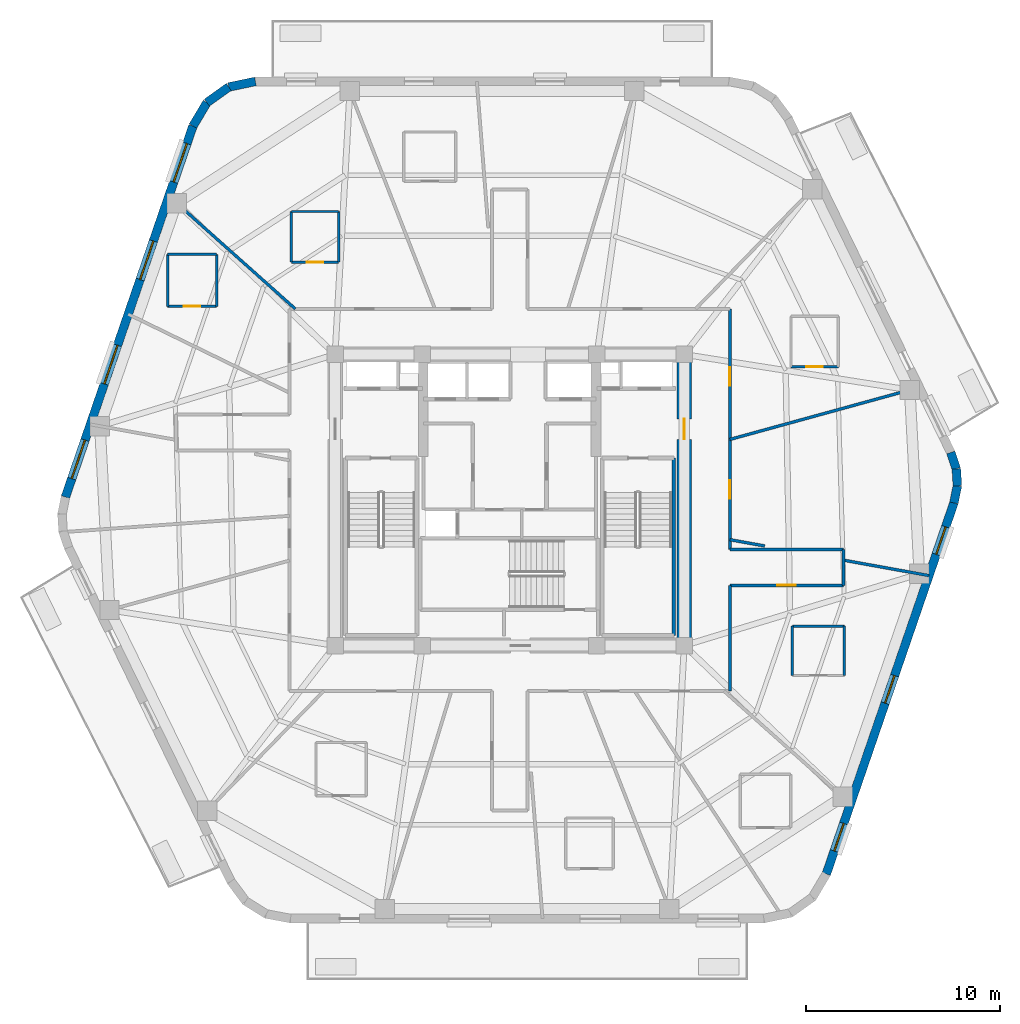
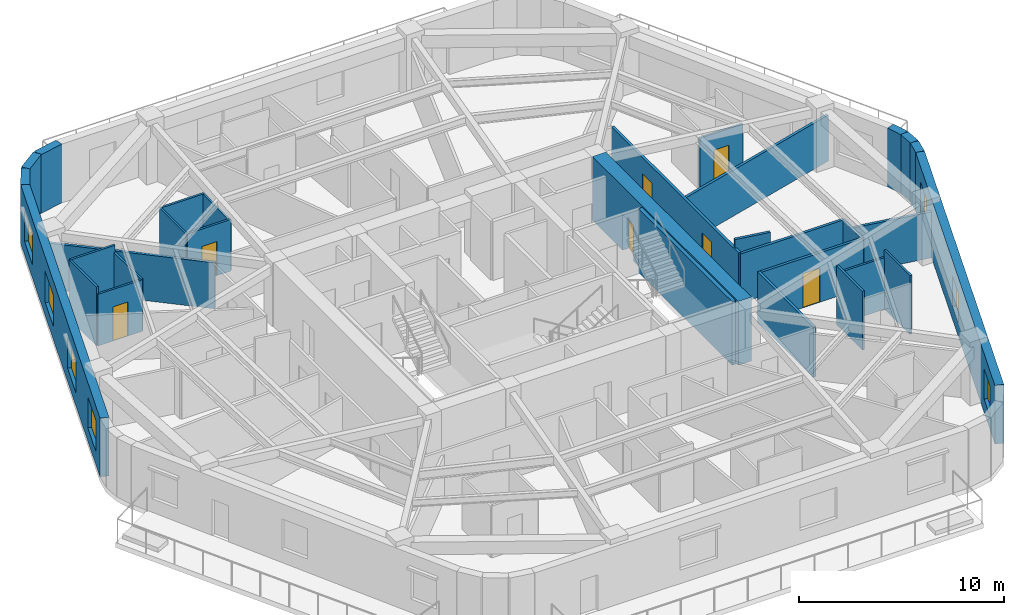
# One storey, part 5 of 10: 31 walls, 7 doors, 7 windows, 14 openings.
"""IFC4 building model written with IfcOpenShell, lengths in metres."""

from ifc_helpers import new_model, si_unit, direction, frame, frame_2d, origin, place, context, subcontext, project, spatial, rectangle, extrude, material, layer, layer_set, type_object, element, fill, save


model = new_model("IFC4")

# Units and contexts
model_context = context("Model", 3, precision=1e-05, world=origin(), true_north=direction((0.0, 1.0)))
body_context = subcontext(model_context, "Body", "Model", "MODEL_VIEW")
ifc_project = project(units=[si_unit("LENGTHUNIT", "METRE"), si_unit("AREAUNIT", "SQUARE_METRE"), si_unit("VOLUMEUNIT", "CUBIC_METRE"), si_unit("PLANEANGLEUNIT", "RADIAN"), si_unit("MASSUNIT", "GRAM", prefix="KILO")], contexts=[model_context])

# Site, building, storey
site_placement = place(None, origin())
site = spatial("IfcSite", under=ifc_project, at=site_placement, CompositionType="ELEMENT")
building_placement = place(site_placement, origin())
building = spatial("IfcBuilding", under=site, at=building_placement, Name="Kilnhurst Terrace Hotel", CompositionType="ELEMENT")
storey_placement = place(building_placement, frame((0.0, 0.0, 214.10009765625)))
storey = spatial("IfcBuildingStorey", under=building, at=storey_placement, Name="L53", CompositionType="ELEMENT", Elevation=214.10009765625)

# Walls
ifc_material_1 = material(Name="Precast concrete C40/50", Category="concrete")
ifc_layer_1 = layer(ifc_material_1, 0.449951171875, Name="Precast concrete C40/50")
ifc_layer_set_1 = layer_set([ifc_layer_1], Name="Precast concrete C40/50")
wall_type_1 = type_object("IfcWallType", Name="WL-BRK-450", PredefinedType="SOLIDWALL", material=ifc_layer_set_1)
wall_1_placement = place(storey_placement, frame((22.8984375, -0.149658203125, 0.0), z_axis=(0.0, 0.0, 1.0), x_axis=(0.199055826889, 0.979988151858, 0.0)))
element("IfcWall", 1, at=wall_1_placement, inside=storey, type_object=wall_type_1, Name="L53 Rounded Corner Brick Wall C3.1", PredefinedType="SOLIDWALL", context=body_context, shape_type="SweptSolid", body=[
    extrude(rectangle(XDim=0.89404296875, YDim=0.449951171875, at=frame_2d((0.447021484375, 0.0))), origin(), (0.0, 0.0, 1.0), 3.5),
])
wall_2_placement = place(storey_placement, frame((23.076416015625, 0.7265625, 0.0), z_axis=(0.0, 0.0, 1.0), x_axis=(-0.060805222108, 0.998149650586, 0.0)))
element("IfcWall", 2, at=wall_2_placement, inside=storey, type_object=wall_type_1, Name="L53 Rounded Corner Brick Wall C3.2", PredefinedType="SOLIDWALL", context=body_context, shape_type="SweptSolid", body=[
    extrude(rectangle(XDim=0.87939453125, YDim=0.449951171875, at=frame_2d((0.439697265625, 0.0))), origin(), (0.0, 0.0, 1.0), 3.5),
])
wall_3_placement = place(storey_placement, frame((23.02294921875, 1.604248046875, 0.0), z_axis=(0.0, 0.0, 1.0), x_axis=(-0.316801227695, 0.948491951537, 0.0)))
element("IfcWall", 3, at=wall_3_placement, inside=storey, type_object=wall_type_1, Name="L53 Rounded Corner Brick Wall C3.3", PredefinedType="SOLIDWALL", context=body_context, shape_type="SweptSolid", body=[
    extrude(rectangle(XDim=0.89404296875, YDim=0.449951171875, at=frame_2d((0.447021484375, 0.0))), origin(), (0.0, 0.0, 1.0), 3.5),
])
wall_4_placement = place(storey_placement, frame((-13.1015625, 21.574951171875, 0.0), z_axis=(0.0, 0.0, 1.0), x_axis=(-0.978757421505, -0.205021730188, 0.0)))
element("IfcWall", 4, at=wall_4_placement, inside=storey, type_object=wall_type_1, Name="L53 Rounded Corner Brick Wall C5.1", PredefinedType="SOLIDWALL", context=body_context, shape_type="SweptSolid", body=[
    extrude(rectangle(XDim=1.40625, YDim=0.449951171875, at=frame_2d((0.703125, 0.0))), origin(), (0.0, 0.0, 1.0), 3.5),
])
wall_5_placement = place(storey_placement, frame((-14.47802734375, 21.28662109375, 0.0), z_axis=(0.0, 0.0, 1.0), x_axis=(-0.813888518617, -0.58102106611, 0.0)))
element("IfcWall", 5, at=wall_5_placement, inside=storey, type_object=wall_type_1, Name="L53 Rounded Corner Brick Wall C5.2", PredefinedType="SOLIDWALL", context=body_context, shape_type="SweptSolid", body=[
    extrude(rectangle(XDim=1.3828125, YDim=0.449951171875, at=frame_2d((0.69140625, 0.0))), origin(), (0.0, 0.0, 1.0), 3.5),
])
wall_6_placement = place(storey_placement, frame((-15.603515625, 20.483154296875, 0.0), z_axis=(0.0, 0.0, 1.0), x_axis=(-0.512222149036, -0.858852996756, 0.0)))
element("IfcWall", 6, at=wall_6_placement, inside=storey, type_object=wall_type_1, Name="L53 Rounded Corner Brick Wall C5.3", PredefinedType="SOLIDWALL", context=body_context, shape_type="SweptSolid", body=[
    extrude(rectangle(XDim=1.406494140625, YDim=0.449951171875, at=frame_2d((0.703125, 0.0))), origin(), (0.0, 0.0, 1.0), 3.5),
])

# Wall, openings, windows
wall_7_placement = place(storey_placement, frame((16.323974609375, -19.275146484375, 0.0), z_axis=(0.0, 0.0, 1.0), x_axis=(0.325083142304, 0.945685439557, 0.0)))
wall_7 = element("IfcWall", 7, at=wall_7_placement, inside=storey, type_object=wall_type_1, Name="L53 Exterior Brick Facade Wall F2", PredefinedType="SOLIDWALL", context=body_context, shape_type="SweptSolid", body=[
    extrude(rectangle(XDim=20.223876953125, YDim=0.449951171875, at=frame_2d((10.11181640625, 0.0))), origin(), (0.0, 0.0, 1.0), 3.5),
])
opening_1_placement = place(wall_7_placement, frame((1.2529296875, 0.0, 0.800048828125)))
opening_1 = element("IfcOpeningElement", 8, at=opening_1_placement, cuts=wall_7, Name="Opening W-02", PredefinedType="OPENING", context=body_context, shape_type="SweptSolid", body=[
    extrude(rectangle(XDim=1.5, YDim=1.800048828125, at=frame_2d((0.75, 0.89990234375))), frame((0.0, 0.23486328125, 0.0), z_axis=(0.0, -1.0, 0.0), x_axis=(1.0, 0.0, 0.0)), (0.0, 0.0, 1.0), 0.469970703125),
])
opening_2_placement = place(wall_7_placement, frame((9.30908203125, 0.0, 0.800048828125)))
opening_2 = element("IfcOpeningElement", 9, at=opening_2_placement, cuts=wall_7, Name="Opening W-02", PredefinedType="OPENING", context=body_context, shape_type="SweptSolid", body=[
    extrude(rectangle(XDim=1.5, YDim=1.800048828125, at=frame_2d((0.75, 0.89990234375))), frame((0.0, 0.23486328125, 0.0), z_axis=(0.0, -1.0, 0.0), x_axis=(1.0, 0.0, 0.0)), (0.0, 0.0, 1.0), 0.469970703125),
])
opening_3_placement = place(wall_7_placement, frame((17.41796875, 0.0, 0.800048828125)))
opening_3 = element("IfcOpeningElement", 10, at=opening_3_placement, cuts=wall_7, Name="Opening W-02", PredefinedType="OPENING", context=body_context, shape_type="SweptSolid", body=[
    extrude(rectangle(XDim=1.5, YDim=1.800048828125, at=frame_2d((0.75, 0.89990234375))), frame((0.0, 0.23486328125, 0.0), z_axis=(0.0, -1.0, 0.0), x_axis=(1.0, 0.0, 0.0)), (0.0, 0.0, 1.0), 0.469970703125),
])
ifc_material_2 = material(Name="Thermally Broken Bronze Aluminium Alloy 6063-T6 and Low-E Glass", Category="aluminium")
window_type_1 = type_object("IfcWindowType", Name="WIN-1500X1800", PartitioningType="SINGLE_PANEL", PredefinedType="WINDOW", material=ifc_material_2)
window_1_placement = place(opening_1_placement, origin())
window_1 = element("IfcWindow", 11, at=window_1_placement, inside=storey, type_object=window_type_1, Name="L53 Deep-Set Masonry Window F2.1", OverallHeight=1.800048828125, OverallWidth=1.5, PartitioningType="SINGLE_PANEL", PredefinedType="WINDOW", context=body_context, shape_type="SweptSolid", body=[
    extrude(rectangle(XDim=1.5, YDim=1.800048828125, at=frame_2d((0.75, 0.89990234375))), frame((0.0, 0.030029296875, 0.0), z_axis=(0.0, -1.0, 0.0), x_axis=(1.0, 0.0, 0.0)), (0.0, 0.0, 1.0), 0.06005859375),
])
fill(opening_1, window_1)
window_2_placement = place(opening_2_placement, origin())
window_2 = element("IfcWindow", 12, at=window_2_placement, inside=storey, type_object=window_type_1, Name="L53 Deep-Set Masonry Window F2.2", OverallHeight=1.800048828125, OverallWidth=1.5, PartitioningType="SINGLE_PANEL", PredefinedType="WINDOW", context=body_context, shape_type="SweptSolid", body=[
    extrude(rectangle(XDim=1.5, YDim=1.800048828125, at=frame_2d((0.75, 0.89990234375))), frame((0.0, 0.030029296875, 0.0), z_axis=(0.0, -1.0, 0.0), x_axis=(1.0, 0.0, 0.0)), (0.0, 0.0, 1.0), 0.06005859375),
])
fill(opening_2, window_2)
window_3_placement = place(opening_3_placement, origin())
window_3 = element("IfcWindow", 13, at=window_3_placement, inside=storey, type_object=window_type_1, Name="L53 Deep-Set Masonry Window F2.3", OverallHeight=1.800048828125, OverallWidth=1.5, PartitioningType="SINGLE_PANEL", PredefinedType="WINDOW", context=body_context, shape_type="SweptSolid", body=[
    extrude(rectangle(XDim=1.5, YDim=1.800048828125, at=frame_2d((0.75, 0.89990234375))), frame((0.0, 0.030029296875, 0.0), z_axis=(0.0, -1.0, 0.0), x_axis=(1.0, 0.0, 0.0)), (0.0, 0.0, 1.0), 0.06005859375),
])
fill(opening_3, window_3)

wall_8_placement = place(storey_placement, frame((-16.323974609375, 19.275146484375, 0.0), z_axis=(0.0, 0.0, 1.0), x_axis=(-0.325083142304, -0.945685439557, 0.0)))
wall_8 = element("IfcWall", 14, at=wall_8_placement, inside=storey, type_object=wall_type_1, Name="L53 Exterior Brick Facade Wall F5", PredefinedType="SOLIDWALL", context=body_context, shape_type="SweptSolid", body=[
    extrude(rectangle(XDim=20.223876953125, YDim=0.449951171875, at=frame_2d((10.11181640625, 0.0))), origin(), (0.0, 0.0, 1.0), 3.5),
])
opening_4_placement = place(wall_8_placement, frame((0.952880859375, 0.0, 0.800048828125)))
opening_4 = element("IfcOpeningElement", 15, at=opening_4_placement, cuts=wall_8, Name="Opening W-04", PredefinedType="OPENING", context=body_context, shape_type="SweptSolid", body=[
    extrude(rectangle(XDim=2.10009765625, YDim=1.85009765625, at=frame_2d((1.050048828125, 0.925048828125))), frame((0.0, 0.23486328125, 0.0), z_axis=(0.0, -1.0, 0.0), x_axis=(1.0, 0.0, 0.0)), (0.0, 0.0, 1.0), 0.469970703125),
])
opening_5_placement = place(wall_8_placement, frame((6.26806640625, 0.0, 0.800048828125)))
opening_5 = element("IfcOpeningElement", 16, at=opening_5_placement, cuts=wall_8, Name="Opening W-04", PredefinedType="OPENING", context=body_context, shape_type="SweptSolid", body=[
    extrude(rectangle(XDim=2.10009765625, YDim=1.85009765625, at=frame_2d((1.050048828125, 0.925048828125))), frame((0.0, 0.23486328125, 0.0), z_axis=(0.0, -1.0, 0.0), x_axis=(1.0, 0.0, 0.0)), (0.0, 0.0, 1.0), 0.469970703125),
])
opening_6_placement = place(wall_8_placement, frame((11.949951171875, 0.0, 0.800048828125)))
opening_6 = element("IfcOpeningElement", 17, at=opening_6_placement, cuts=wall_8, Name="Opening W-04", PredefinedType="OPENING", context=body_context, shape_type="SweptSolid", body=[
    extrude(rectangle(XDim=2.10009765625, YDim=1.85009765625, at=frame_2d((1.050048828125, 0.925048828125))), frame((0.0, 0.23486328125, 0.0), z_axis=(0.0, -1.0, 0.0), x_axis=(1.0, 0.0, 0.0)), (0.0, 0.0, 1.0), 0.469970703125),
])
opening_7_placement = place(wall_8_placement, frame((17.117919921875, 0.0, 0.800048828125)))
opening_7 = element("IfcOpeningElement", 18, at=opening_7_placement, cuts=wall_8, Name="Opening W-04", PredefinedType="OPENING", context=body_context, shape_type="SweptSolid", body=[
    extrude(rectangle(XDim=2.10009765625, YDim=1.85009765625, at=frame_2d((1.050048828125, 0.925048828125))), frame((0.0, 0.23486328125, 0.0), z_axis=(0.0, -1.0, 0.0), x_axis=(1.0, 0.0, 0.0)), (0.0, 0.0, 1.0), 0.469970703125),
])
window_type_2 = type_object("IfcWindowType", Name="WIN-2100X1850", PartitioningType="SINGLE_PANEL", PredefinedType="WINDOW", material=ifc_material_2)
window_4_placement = place(opening_4_placement, origin())
window_4 = element("IfcWindow", 19, at=window_4_placement, inside=storey, type_object=window_type_2, Name="L53 Deep-Set Masonry Window F5.1", OverallHeight=1.85009765625, OverallWidth=2.10009765625, PartitioningType="SINGLE_PANEL", PredefinedType="WINDOW", context=body_context, shape_type="SweptSolid", body=[
    extrude(rectangle(XDim=2.10009765625, YDim=1.85009765625, at=frame_2d((1.050048828125, 0.925048828125))), frame((0.0, 0.030029296875, 0.0), z_axis=(0.0, -1.0, 0.0), x_axis=(1.0, 0.0, 0.0)), (0.0, 0.0, 1.0), 0.06005859375),
])
fill(opening_4, window_4)
window_5_placement = place(opening_5_placement, origin())
window_5 = element("IfcWindow", 20, at=window_5_placement, inside=storey, type_object=window_type_2, Name="L53 Deep-Set Masonry Window F5.2", OverallHeight=1.85009765625, OverallWidth=2.10009765625, PartitioningType="SINGLE_PANEL", PredefinedType="WINDOW", context=body_context, shape_type="SweptSolid", body=[
    extrude(rectangle(XDim=2.10009765625, YDim=1.85009765625, at=frame_2d((1.050048828125, 0.925048828125))), frame((0.0, 0.030029296875, 0.0), z_axis=(0.0, -1.0, 0.0), x_axis=(1.0, 0.0, 0.0)), (0.0, 0.0, 1.0), 0.06005859375),
])
fill(opening_5, window_5)
window_6_placement = place(opening_6_placement, origin())
window_6 = element("IfcWindow", 21, at=window_6_placement, inside=storey, type_object=window_type_2, Name="L53 Deep-Set Masonry Window F5.3", OverallHeight=1.85009765625, OverallWidth=2.10009765625, PartitioningType="SINGLE_PANEL", PredefinedType="WINDOW", context=body_context, shape_type="SweptSolid", body=[
    extrude(rectangle(XDim=2.10009765625, YDim=1.85009765625, at=frame_2d((1.050048828125, 0.925048828125))), frame((0.0, 0.030029296875, 0.0), z_axis=(0.0, -1.0, 0.0), x_axis=(1.0, 0.0, 0.0)), (0.0, 0.0, 1.0), 0.06005859375),
])
fill(opening_6, window_6)
window_7_placement = place(opening_7_placement, origin())
window_7 = element("IfcWindow", 22, at=window_7_placement, inside=storey, type_object=window_type_2, Name="L53 Deep-Set Masonry Window F5.4", OverallHeight=1.85009765625, OverallWidth=2.10009765625, PartitioningType="SINGLE_PANEL", PredefinedType="WINDOW", context=body_context, shape_type="SweptSolid", body=[
    extrude(rectangle(XDim=2.10009765625, YDim=1.85009765625, at=frame_2d((1.050048828125, 0.925048828125))), frame((0.0, 0.030029296875, 0.0), z_axis=(0.0, -1.0, 0.0), x_axis=(1.0, 0.0, 0.0)), (0.0, 0.0, 1.0), 0.06005859375),
])
fill(opening_7, window_7)

# Wall, openings, doors
ifc_material_3 = material(Name="Acoustic Double-Gypsum Corridor Partition Assembly")
ifc_layer_2 = layer(ifc_material_3, 0.14990234375, Name="Acoustic Double-Gypsum Corridor Partition Assembly")
ifc_layer_set_2 = layer_set([ifc_layer_2], Name="Acoustic Double-Gypsum Corridor Partition Assembly")
wall_type_2 = type_object("IfcWallType", Name="WL-COR-150", PredefinedType="PARTITIONING", material=ifc_layer_set_2)
wall_9_placement = place(storey_placement, frame((11.35009765625, 9.85009765625, 0.0), z_axis=(0.0, 0.0, 1.0), x_axis=(0.0, -1.0, 0.0)))
wall_9 = element("IfcWall", 23, at=wall_9_placement, inside=storey, type_object=wall_type_2, Name="L53 Interior Wall WL-L53-COR-11", PredefinedType="PARTITIONING", context=body_context, shape_type="SweptSolid", body=[
    extrude(rectangle(XDim=12.400146484375, YDim=0.14990234375, at=frame_2d((6.2001953125, 0.0))), origin(), (0.0, 0.0, 1.0), 2.989990234375),
])
opening_8_placement = place(wall_9_placement, frame((3.010009765625, 0.0, 0.0)))
opening_8 = element("IfcOpeningElement", 24, at=opening_8_placement, cuts=wall_9, Name="Opening D-60B", PredefinedType="OPENING", context=body_context, shape_type="SweptSolid", body=[
    extrude(rectangle(XDim=0.949951171875, YDim=2.030029296875, at=frame_2d((0.47509765625, 1.01513671875))), frame((0.0, 0.0849609375, 0.0), z_axis=(0.0, -1.0, 0.0), x_axis=(1.0, 0.0, 0.0)), (0.0, 0.0, 1.0), 0.169921875),
])
opening_9_placement = place(wall_9_placement, frame((8.8349609375, 0.0, 0.0)))
opening_9 = element("IfcOpeningElement", 25, at=opening_9_placement, cuts=wall_9, Name="Opening D-60B", PredefinedType="OPENING", context=body_context, shape_type="SweptSolid", body=[
    extrude(rectangle(XDim=0.949951171875, YDim=2.030029296875, at=frame_2d((0.47509765625, 1.01513671875))), frame((0.0, 0.0849609375, 0.0), z_axis=(0.0, -1.0, 0.0), x_axis=(1.0, 0.0, 0.0)), (0.0, 0.0, 1.0), 0.169921875),
])
ifc_material_4 = material(Name="Acoustic Walnut Veneer Solid-Core Fire Door")
door_type_1 = type_object("IfcDoorType", Name="DR-FD60-950", OperationType="NOTDEFINED", PredefinedType="DOOR", material=ifc_material_4)
door_1_placement = place(opening_8_placement, origin())
door_1 = element("IfcDoor", 26, at=door_1_placement, inside=storey, type_object=door_type_1, Name="L53 Executive Suite Entry Door 1", OperationType="SINGLE_SWING_LEFT", OverallHeight=2.030029296875, OverallWidth=0.949951171875, PredefinedType="DOOR", context=body_context, shape_type="SweptSolid", body=[
    extrude(rectangle(XDim=0.949951171875, YDim=2.030029296875, at=frame_2d((0.47509765625, 1.01513671875))), frame((0.0, 0.02490234375, 0.0), z_axis=(0.0, -1.0, 0.0), x_axis=(1.0, 0.0, 0.0)), (0.0, 0.0, 1.0), 0.050048828125),
])
fill(opening_8, door_1)
door_2_placement = place(opening_9_placement, origin())
door_2 = element("IfcDoor", 27, at=door_2_placement, inside=storey, type_object=door_type_1, Name="L53 Executive Office Door", OperationType="SINGLE_SWING_LEFT", OverallHeight=2.030029296875, OverallWidth=0.949951171875, PredefinedType="DOOR", context=body_context, shape_type="SweptSolid", body=[
    extrude(rectangle(XDim=0.949951171875, YDim=2.030029296875, at=frame_2d((0.47509765625, 1.01513671875))), frame((0.0, 0.02490234375, 0.0), z_axis=(0.0, -1.0, 0.0), x_axis=(1.0, 0.0, 0.0)), (0.0, 0.0, 1.0), 0.050048828125),
])
fill(opening_9, door_2)

# Walls
wall_10_placement = place(storey_placement, frame((11.35009765625, -2.550048828125, 0.0), z_axis=(0.0, 0.0, 1.0), x_axis=(1.0, 0.0, 0.0)))
element("IfcWall", 28, at=wall_10_placement, inside=storey, type_object=wall_type_2, Name="L53 Interior Wall WL-L53-COR-12", PredefinedType="PARTITIONING", context=body_context, shape_type="SweptSolid", body=[
    extrude(rectangle(XDim=5.849853515625, YDim=0.14990234375, at=frame_2d((2.9248046875, 0.0))), origin(), (0.0, 0.0, 1.0), 2.940185546875),
])
wall_11_placement = place(storey_placement, frame((17.199951171875, -2.550048828125, 0.0), z_axis=(0.0, 0.0, 1.0), x_axis=(0.0, -1.0, 0.0)))
element("IfcWall", 29, at=wall_11_placement, inside=storey, type_object=wall_type_2, Name="L53 Interior Wall WL-L53-COR-13", PredefinedType="PARTITIONING", context=body_context, shape_type="SweptSolid", body=[
    extrude(rectangle(XDim=1.849853515625, YDim=0.14990234375, at=frame_2d((0.9248046875, 0.0))), origin(), (0.0, 0.0, 1.0), 2.940185546875),
])

# Wall, opening, door
wall_12_placement = place(storey_placement, frame((17.199951171875, -4.39990234375, 0.0), z_axis=(0.0, 0.0, 1.0), x_axis=(-1.0, 0.0, 0.0)))
wall_12 = element("IfcWall", 30, at=wall_12_placement, inside=storey, type_object=wall_type_2, Name="L53 Interior Wall WL-L53-COR-14", PredefinedType="PARTITIONING", context=body_context, shape_type="SweptSolid", body=[
    extrude(rectangle(XDim=5.849853515625, YDim=0.14990234375, at=frame_2d((2.9248046875, 0.0))), origin(), (0.0, 0.0, 1.0), 2.940185546875),
])
opening_10_placement = place(wall_12_placement, frame((2.449951171875, 0.0, 0.0)))
opening_10 = element("IfcOpeningElement", 31, at=opening_10_placement, cuts=wall_12, Name="Opening D-60B", PredefinedType="OPENING", context=body_context, shape_type="SweptSolid", body=[
    extrude(rectangle(XDim=0.949951171875, YDim=2.030029296875, at=frame_2d((0.47509765625, 1.01513671875))), frame((0.0, 0.0849609375, 0.0), z_axis=(0.0, -1.0, 0.0), x_axis=(1.0, 0.0, 0.0)), (0.0, 0.0, 1.0), 0.169921875),
])
door_3_placement = place(opening_10_placement, origin())
door_3 = element("IfcDoor", 32, at=door_3_placement, inside=storey, type_object=door_type_1, Name="L53 Executive Suite Entry Door 16", OperationType="SINGLE_SWING_RIGHT", OverallHeight=2.030029296875, OverallWidth=0.949951171875, PredefinedType="DOOR", context=body_context, shape_type="SweptSolid", body=[
    extrude(rectangle(XDim=0.949951171875, YDim=2.030029296875, at=frame_2d((0.47509765625, 1.01513671875))), frame((0.0, 0.02490234375, 0.0), z_axis=(0.0, -1.0, 0.0), x_axis=(1.0, 0.0, 0.0)), (0.0, 0.0, 1.0), 0.050048828125),
])
fill(opening_10, door_3)

# Wall
wall_13_placement = place(storey_placement, frame((11.35009765625, -4.39990234375, 0.0), z_axis=(0.0, 0.0, 1.0), x_axis=(0.0, -1.0, 0.0)))
element("IfcWall", 33, at=wall_13_placement, inside=storey, type_object=wall_type_2, Name="L53 Interior Wall WL-L53-COR-15", PredefinedType="PARTITIONING", context=body_context, shape_type="SweptSolid", body=[
    extrude(rectangle(XDim=5.4501953125, YDim=0.14990234375, at=frame_2d((2.72509765625, 0.0))), origin(), (0.0, 0.0, 1.0), 2.989990234375),
])

# Wall, opening, door
ifc_material_5 = material(Name="Concrete C60/75", Category="concrete")
ifc_layer_3 = layer(ifc_material_5, 0.75, Name="Concrete C60/75")
ifc_layer_set_3 = layer_set([ifc_layer_3], Name="Concrete C60/75")
wall_type_3 = type_object("IfcWallType", Name="WL-CORE-750", PredefinedType="SHEAR", material=ifc_layer_set_3)
wall_14_placement = place(storey_placement, frame((9.0, -7.125, 0.0), z_axis=(0.0, 0.0, 1.0), x_axis=(0.0, 1.0, 0.0)))
wall_14 = element("IfcWall", 34, at=wall_14_placement, inside=storey, type_object=wall_type_3, Name="L53 Core East Shear Wall", PredefinedType="SHEAR", context=body_context, shape_type="SweptSolid", body=[
    extrude(rectangle(XDim=14.25, YDim=0.75, at=frame_2d((7.125, 0.0))), origin(), (0.0, 0.0, 1.0), 3.7998046875),
])
opening_11_placement = place(wall_14_placement, frame((10.25, 0.0, 0.0)))
opening_11 = element("IfcOpeningElement", 35, at=opening_11_placement, cuts=wall_14, Name="Opening D-90A", PredefinedType="OPENING", context=body_context, shape_type="SweptSolid", body=[
    extrude(rectangle(XDim=1.050048828125, YDim=2.14990234375, at=frame_2d((0.52490234375, 1.074951171875))), frame((0.0, 0.385009765625, 0.0), z_axis=(0.0, -1.0, 0.0), x_axis=(1.0, 0.0, 0.0)), (0.0, 0.0, 1.0), 0.77001953125),
])
ifc_material_6 = material(Name="Painted Hollow Metal Steel ASTM A36 Fire Door", Category="steel")
door_type_2 = type_object("IfcDoorType", Name="DR-FD90-1050", OperationType="NOTDEFINED", PredefinedType="DOOR", material=ifc_material_6)
door_4_placement = place(opening_11_placement, origin())
door_4 = element("IfcDoor", 36, at=door_4_placement, inside=storey, type_object=door_type_2, Name="L53 East Firefighting Lobby Door", OperationType="SINGLE_SWING_LEFT", OverallHeight=2.14990234375, OverallWidth=1.050048828125, PredefinedType="DOOR", context=body_context, shape_type="SweptSolid", body=[
    extrude(rectangle(XDim=1.050048828125, YDim=2.14990234375, at=frame_2d((0.52490234375, 1.074951171875))), frame((0.0, 0.02490234375, 0.0), z_axis=(0.0, -1.0, 0.0), x_axis=(1.0, 0.0, 0.0)), (0.0, 0.0, 1.0), 0.050048828125),
])
fill(opening_11, door_4)

# Walls
ifc_material_7 = material(Name="STC-58 Acoustic Twin-Frame Guestroom Demising Partition")
ifc_layer_4 = layer(ifc_material_7, 0.14990234375, Name="STC-58 Acoustic Twin-Frame Guestroom Demising Partition")
ifc_layer_set_4 = layer_set([ifc_layer_4], Name="STC-58 Acoustic Twin-Frame Guestroom Demising Partition")
wall_type_4 = type_object("IfcWallType", Name="WL-DEM-150", PredefinedType="PARTITIONING", material=ifc_layer_set_4)
wall_15_placement = place(storey_placement, frame((11.35009765625, 3.12060546875, 0.0), z_axis=(0.0, 0.0, 1.0), x_axis=(0.964212793822, 0.265129568758, 0.0)))
element("IfcWall", 37, at=wall_15_placement, inside=storey, type_object=wall_type_4, Name="L53 Interior Wall WL-L53-DEM-COL01-01-1", PredefinedType="PARTITIONING", context=body_context, shape_type="SweptSolid", body=[
    extrude(rectangle(XDim=10.119873046875, YDim=0.14990234375, at=frame_2d((5.06005859375, 0.0))), origin(), (0.0, 0.0, 1.0), 2.739990234375),
])
wall_16_placement = place(storey_placement, frame((-11.04833984375, 9.85009765625, 0.0), z_axis=(0.0, 0.0, 1.0), x_axis=(-0.746444434655, 0.665447748492, 0.0)))
element("IfcWall", 38, at=wall_16_placement, inside=storey, type_object=wall_type_4, Name="L53 Interior Wall WL-L53-DEM-COL05-06-1", PredefinedType="PARTITIONING", context=body_context, shape_type="SweptSolid", body=[
    extrude(rectangle(XDim=8.732177734375, YDim=0.14990234375, at=frame_2d((4.3662109375, 0.0))), origin(), (0.0, 0.0, 1.0), 2.739990234375),
])
wall_17_placement = place(storey_placement, frame((11.35009765625, -2.046142578125, 0.0), z_axis=(0.0, 0.0, 1.0), x_axis=(0.984127783205, -0.177461281195, 0.0)))
element("IfcWall", 39, at=wall_17_placement, inside=storey, type_object=wall_type_4, Name="L53 Interior Wall WL-L53-DEM-COL12-17-1", PredefinedType="PARTITIONING", context=body_context, shape_type="SweptSolid", body=[
    extrude(rectangle(XDim=1.82568359375, YDim=0.14990234375, at=frame_2d((0.912841796875, 0.0))), origin(), (0.0, 0.0, 1.0), 3.5),
])
wall_18_placement = place(storey_placement, frame((17.199951171875, -3.1005859375, 0.0), z_axis=(0.0, 0.0, 1.0), x_axis=(0.98413465883, -0.177423147559, 0.0)))
element("IfcWall", 40, at=wall_18_placement, inside=storey, type_object=wall_type_4, Name="L53 Interior Wall WL-L53-DEM-COL12-17-2", PredefinedType="PARTITIONING", context=body_context, shape_type="SweptSolid", body=[
    extrude(rectangle(XDim=4.481689453125, YDim=0.14990234375, at=frame_2d((2.24072265625, 0.0))), origin(), (0.0, 0.0, 1.0), 2.739990234375),
])

# Wall, opening, door
ifc_material_8 = material(Name="120 mm Moisture-Resistant Tile-Backed Bathroom Partition")
ifc_layer_5 = layer(ifc_material_8, 0.1201171875, Name="120 mm Moisture-Resistant Tile-Backed Bathroom Partition")
ifc_layer_set_5 = layer_set([ifc_layer_5], Name="120 mm Moisture-Resistant Tile-Backed Bathroom Partition")
wall_type_5 = type_object("IfcWallType", Name="WL-PART-120", PredefinedType="PARTITIONING", material=ifc_layer_set_5)
wall_19_placement = place(storey_placement, frame((14.5, 6.860107421875, 0.0), z_axis=(0.0, 0.0, 1.0), x_axis=(1.0, 0.0, 0.0)))
wall_19 = element("IfcWall", 41, at=wall_19_placement, inside=storey, type_object=wall_type_5, Name="L53 Interior Wall WL-L53-BTH-01-1", PredefinedType="PARTITIONING", context=body_context, shape_type="SweptSolid", body=[
    extrude(rectangle(XDim=2.43994140625, YDim=0.1201171875, at=frame_2d((1.219970703125, 0.0))), origin(), (0.0, 0.0, 1.0), 3.0263671875),
])
opening_12_placement = place(wall_19_placement, frame((0.794921875, 0.0, 0.0)))
opening_12 = element("IfcOpeningElement", 42, at=opening_12_placement, cuts=wall_19, Name="Opening D-08A", PredefinedType="OPENING", context=body_context, shape_type="SweptSolid", body=[
    extrude(rectangle(XDim=0.85009765625, YDim=2.030029296875, at=frame_2d((0.425048828125, 1.01513671875))), frame((0.0, 0.070068359375, 0.0), z_axis=(0.0, -1.0, 0.0), x_axis=(1.0, 0.0, 0.0)), (0.0, 0.0, 1.0), 0.14013671875),
])
ifc_material_9 = material(Name="Moisture-Resistant Lacquered En-suite Bathroom Door")
door_type_3 = type_object("IfcDoorType", Name="DR-INT-850", OperationType="NOTDEFINED", PredefinedType="DOOR", material=ifc_material_9)
door_5_placement = place(opening_12_placement, origin())
door_5 = element("IfcDoor", 43, at=door_5_placement, inside=storey, type_object=door_type_3, Name="L53 En-suite Bathroom Door 1", OperationType="SINGLE_SWING_RIGHT", OverallHeight=2.030029296875, OverallWidth=0.85009765625, PredefinedType="DOOR", context=body_context, shape_type="SweptSolid", body=[
    extrude(rectangle(XDim=0.85009765625, YDim=2.030029296875, at=frame_2d((0.425048828125, 1.01513671875))), frame((0.0, 0.02490234375, 0.0), z_axis=(0.0, -1.0, 0.0), x_axis=(1.0, 0.0, 0.0)), (0.0, 0.0, 1.0), 0.050048828125),
])
fill(opening_12, door_5)

wall_20_placement = place(storey_placement, frame((-11.251953125, 12.260009765625, 0.0), z_axis=(0.0, 0.0, 1.0), x_axis=(1.0, 0.0, 0.0)))
wall_20 = element("IfcWall", 44, at=wall_20_placement, inside=storey, type_object=wall_type_5, Name="L53 Interior Wall WL-L53-BTH-05-1", PredefinedType="PARTITIONING", context=body_context, shape_type="SweptSolid", body=[
    extrude(rectangle(XDim=2.43994140625, YDim=0.1201171875, at=frame_2d((1.219970703125, 0.0))), origin(), (0.0, 0.0, 1.0), 3.072265625),
])
opening_13_placement = place(wall_20_placement, frame((0.794921875, 0.0, 0.0)))
opening_13 = element("IfcOpeningElement", 45, at=opening_13_placement, cuts=wall_20, Name="Opening D-08A", PredefinedType="OPENING", context=body_context, shape_type="SweptSolid", body=[
    extrude(rectangle(XDim=0.85009765625, YDim=2.030029296875, at=frame_2d((0.425048828125, 1.01513671875))), frame((0.0, 0.070068359375, 0.0), z_axis=(0.0, -1.0, 0.0), x_axis=(1.0, 0.0, 0.0)), (0.0, 0.0, 1.0), 0.14013671875),
])
door_6_placement = place(opening_13_placement, origin())
door_6 = element("IfcDoor", 46, at=door_6_placement, inside=storey, type_object=door_type_3, Name="L53 En-suite Bathroom Door 5", OperationType="SINGLE_SWING_RIGHT", OverallHeight=2.030029296875, OverallWidth=0.85009765625, PredefinedType="DOOR", context=body_context, shape_type="SweptSolid", body=[
    extrude(rectangle(XDim=0.85009765625, YDim=2.030029296875, at=frame_2d((0.425048828125, 1.01513671875))), frame((0.0, 0.02490234375, 0.0), z_axis=(0.0, -1.0, 0.0), x_axis=(1.0, 0.0, 0.0)), (0.0, 0.0, 1.0), 0.050048828125),
])
fill(opening_13, door_6)

# Walls
wall_21_placement = place(storey_placement, frame((-8.81201171875, 12.260009765625, 0.0), z_axis=(0.0, 0.0, 1.0), x_axis=(0.0, 1.0, 0.0)))
element("IfcWall", 47, at=wall_21_placement, inside=storey, type_object=wall_type_5, Name="L53 Interior Wall WL-L53-BTH-05-2", PredefinedType="PARTITIONING", context=body_context, shape_type="SweptSolid", body=[
    extrude(rectangle(XDim=2.610107421875, YDim=0.1201171875, at=frame_2d((1.30517578125, 0.0))), origin(), (0.0, 0.0, 1.0), 2.989990234375),
])
wall_22_placement = place(storey_placement, frame((-8.81201171875, 14.8701171875, 0.0), z_axis=(0.0, 0.0, 1.0), x_axis=(-1.0, 0.0, 0.0)))
element("IfcWall", 48, at=wall_22_placement, inside=storey, type_object=wall_type_5, Name="L53 Interior Wall WL-L53-BTH-05-3", PredefinedType="PARTITIONING", context=body_context, shape_type="SweptSolid", body=[
    extrude(rectangle(XDim=2.43994140625, YDim=0.1201171875, at=frame_2d((1.219970703125, 0.0))), origin(), (0.0, 0.0, 1.0), 3.0263671875),
])
wall_23_placement = place(storey_placement, frame((-11.251953125, 14.8701171875, 0.0), z_axis=(0.0, 0.0, 1.0), x_axis=(0.0, -1.0, 0.0)))
element("IfcWall", 49, at=wall_23_placement, inside=storey, type_object=wall_type_5, Name="L53 Interior Wall WL-L53-BTH-05-4", PredefinedType="PARTITIONING", context=body_context, shape_type="SweptSolid", body=[
    extrude(rectangle(XDim=2.610107421875, YDim=0.1201171875, at=frame_2d((1.30517578125, 0.0))), origin(), (0.0, 0.0, 1.0), 3.0263671875),
])

# Wall, opening, door
wall_24_placement = place(storey_placement, frame((-17.6240234375, 9.97900390625, 0.0), z_axis=(0.0, 0.0, 1.0), x_axis=(1.0, 0.0, 0.0)))
wall_24 = element("IfcWall", 50, at=wall_24_placement, inside=storey, type_object=wall_type_5, Name="L53 Interior Wall WL-L53-BTH-06-1", PredefinedType="PARTITIONING", context=body_context, shape_type="SweptSolid", body=[
    extrude(rectangle(XDim=2.52001953125, YDim=0.1201171875, at=frame_2d((1.260009765625, 0.0))), origin(), (0.0, 0.0, 1.0), 3.072265625),
])
opening_14_placement = place(wall_24_placement, frame((0.8349609375, 0.0, 0.0)))
opening_14 = element("IfcOpeningElement", 51, at=opening_14_placement, cuts=wall_24, Name="Opening D-08A", PredefinedType="OPENING", context=body_context, shape_type="SweptSolid", body=[
    extrude(rectangle(XDim=0.85009765625, YDim=2.030029296875, at=frame_2d((0.425048828125, 1.01513671875))), frame((0.0, 0.070068359375, 0.0), z_axis=(0.0, -1.0, 0.0), x_axis=(1.0, 0.0, 0.0)), (0.0, 0.0, 1.0), 0.14013671875),
])
door_7_placement = place(opening_14_placement, origin())
door_7 = element("IfcDoor", 52, at=door_7_placement, inside=storey, type_object=door_type_3, Name="L53 En-suite Bathroom Door 6", OperationType="SINGLE_SWING_LEFT", OverallHeight=2.030029296875, OverallWidth=0.85009765625, PredefinedType="DOOR", context=body_context, shape_type="SweptSolid", body=[
    extrude(rectangle(XDim=0.85009765625, YDim=2.030029296875, at=frame_2d((0.425048828125, 1.01513671875))), frame((0.0, 0.02490234375, 0.0), z_axis=(0.0, -1.0, 0.0), x_axis=(1.0, 0.0, 0.0)), (0.0, 0.0, 1.0), 0.050048828125),
])
fill(opening_14, door_7)

# Walls
wall_25_placement = place(storey_placement, frame((-15.10400390625, 9.97900390625, 0.0), z_axis=(0.0, 0.0, 1.0), x_axis=(0.0, 1.0, 0.0)))
element("IfcWall", 53, at=wall_25_placement, inside=storey, type_object=wall_type_5, Name="L53 Interior Wall WL-L53-BTH-06-2", PredefinedType="PARTITIONING", context=body_context, shape_type="SweptSolid", body=[
    extrude(rectangle(XDim=2.679931640625, YDim=0.1201171875, at=frame_2d((1.33984375, 0.0))), origin(), (0.0, 0.0, 1.0), 3.072265625),
])
wall_26_placement = place(storey_placement, frame((-15.10400390625, 12.658935546875, 0.0), z_axis=(0.0, 0.0, 1.0), x_axis=(-1.0, 0.0, 0.0)))
element("IfcWall", 54, at=wall_26_placement, inside=storey, type_object=wall_type_5, Name="L53 Interior Wall WL-L53-BTH-06-3", PredefinedType="PARTITIONING", context=body_context, shape_type="SweptSolid", body=[
    extrude(rectangle(XDim=2.52001953125, YDim=0.1201171875, at=frame_2d((1.260009765625, 0.0))), origin(), (0.0, 0.0, 1.0), 3.5),
])
wall_27_placement = place(storey_placement, frame((-17.6240234375, 12.658935546875, 0.0), z_axis=(0.0, 0.0, 1.0), x_axis=(0.0, -1.0, 0.0)))
element("IfcWall", 55, at=wall_27_placement, inside=storey, type_object=wall_type_5, Name="L53 Interior Wall WL-L53-BTH-06-4", PredefinedType="PARTITIONING", context=body_context, shape_type="SweptSolid", body=[
    extrude(rectangle(XDim=2.679931640625, YDim=0.1201171875, at=frame_2d((1.33984375, 0.0))), origin(), (0.0, 0.0, 1.0), 3.5),
])
wall_28_placement = place(storey_placement, frame((17.248046875, -9.044921875, 0.0), z_axis=(0.0, 0.0, 1.0), x_axis=(0.0, 1.0, 0.0)))
element("IfcWall", 56, at=wall_28_placement, inside=storey, type_object=wall_type_5, Name="L53 Interior Wall WL-L53-BTH-16-2", PredefinedType="PARTITIONING", context=body_context, shape_type="SweptSolid", body=[
    extrude(rectangle(XDim=2.5400390625, YDim=0.1201171875, at=frame_2d((1.27001953125, 0.0))), origin(), (0.0, 0.0, 1.0), 3.5),
])
wall_29_placement = place(storey_placement, frame((17.248046875, -6.5048828125, 0.0), z_axis=(0.0, 0.0, 1.0), x_axis=(-1.0, 0.0, 0.0)))
element("IfcWall", 57, at=wall_29_placement, inside=storey, type_object=wall_type_5, Name="L53 Interior Wall WL-L53-BTH-16-3", PredefinedType="PARTITIONING", context=body_context, shape_type="SweptSolid", body=[
    extrude(rectangle(XDim=2.679931640625, YDim=0.1201171875, at=frame_2d((1.33984375, 0.0))), origin(), (0.0, 0.0, 1.0), 3.072265625),
])
wall_30_placement = place(storey_placement, frame((14.568115234375, -6.5048828125, 0.0), z_axis=(0.0, 0.0, 1.0), x_axis=(0.0, -1.0, 0.0)))
element("IfcWall", 58, at=wall_30_placement, inside=storey, type_object=wall_type_5, Name="L53 Interior Wall WL-L53-BTH-16-4", PredefinedType="PARTITIONING", context=body_context, shape_type="SweptSolid", body=[
    extrude(rectangle(XDim=2.5400390625, YDim=0.1201171875, at=frame_2d((1.27001953125, 0.0))), origin(), (0.0, 0.0, 1.0), 3.5),
])
ifc_material_10 = material(Name="Concrete C50/60", Category="concrete")
ifc_layer_6 = layer(ifc_material_10, 0.199951171875, Name="Concrete C50/60")
ifc_layer_set_6 = layer_set([ifc_layer_6], Name="Concrete C50/60")
wall_type_6 = type_object("IfcWallType", Name="WL-STAIR-RC-200", PredefinedType="SHEAR", material=ifc_layer_set_6)
wall_31_placement = place(storey_placement, frame((8.4580078125, -6.985107421875, 0.0), z_axis=(0.0, 0.0, 1.0), x_axis=(0.0, 1.0, 0.0)))
element("IfcWall", 59, at=wall_31_placement, inside=storey, type_object=wall_type_6, Name="L53 Structural Stair Shaft Wall WL-L53-ST2-E", PredefinedType="SHEAR", context=body_context, shape_type="SweptSolid", body=[
    extrude(rectangle(XDim=9.14306640625, YDim=0.199951171875, at=frame_2d((4.571533203125, 0.0))), origin(), (0.0, 0.0, 1.0), 3.7998046875),
])

save(model, "model.ifc")
